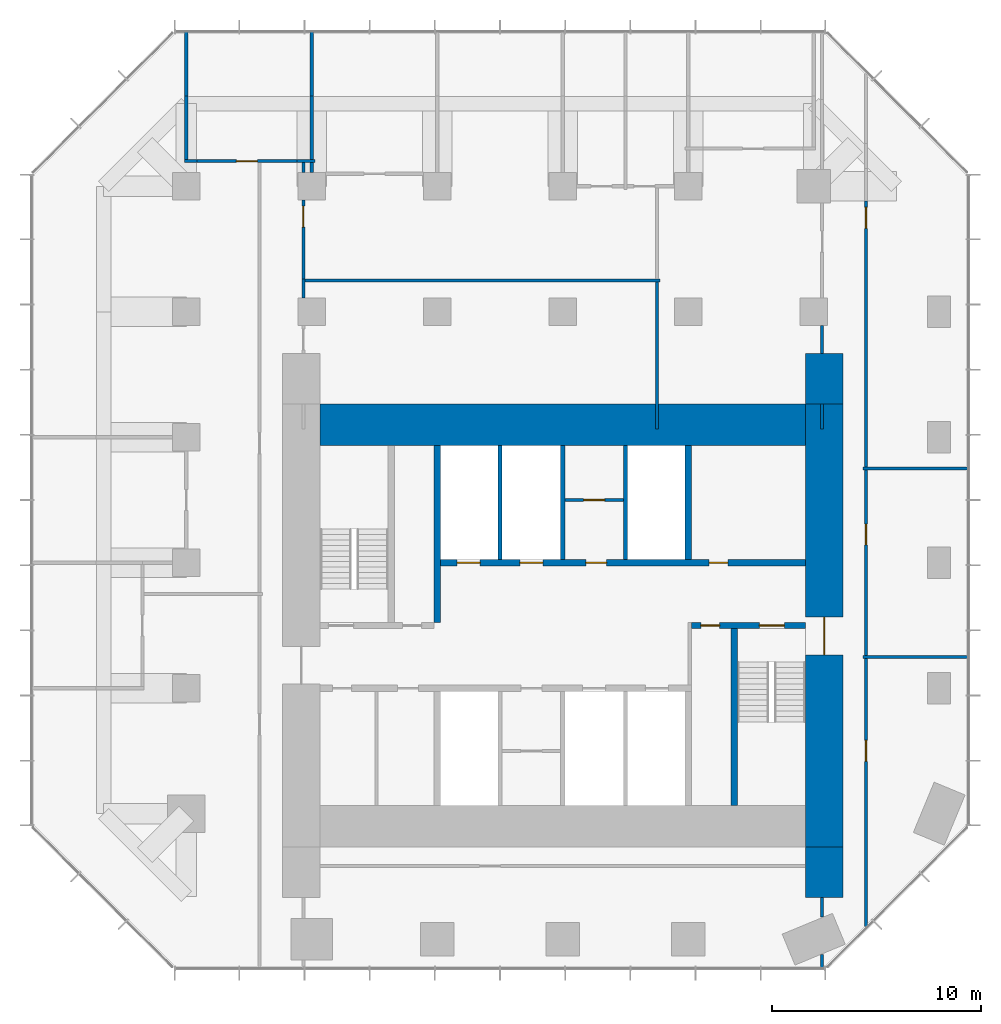
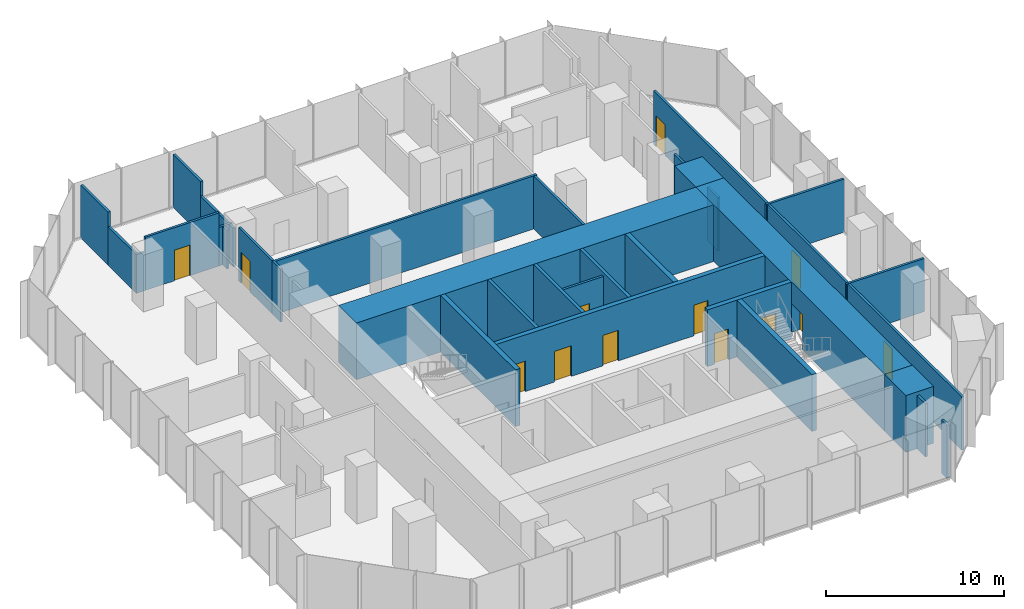
# One storey, part 9 of 11: 35 walls, 13 doors, 13 openings.
"""IFC4 building model written with IfcOpenShell, lengths in metres."""

from ifc_helpers import new_model, si_unit, direction, frame, frame_2d, origin, place, context, subcontext, project, spatial, rectangle, extrude, material, layer, layer_set, type_object, element, fill, save


model = new_model("IFC4")

# Units and contexts
model_context = context("Model", 3, precision=1e-05, world=origin(), true_north=direction((0.0, 1.0)))
body_context = subcontext(model_context, "Body", "Model", "MODEL_VIEW")
ifc_project = project(units=[si_unit("LENGTHUNIT", "METRE"), si_unit("AREAUNIT", "SQUARE_METRE"), si_unit("VOLUMEUNIT", "CUBIC_METRE"), si_unit("PLANEANGLEUNIT", "RADIAN"), si_unit("MASSUNIT", "GRAM", prefix="KILO")], contexts=[model_context])

# Site, building, storey
site_placement = place(None, origin())
site = spatial("IfcSite", under=ifc_project, at=site_placement, CompositionType="ELEMENT")
building_placement = place(site_placement, origin())
building = spatial("IfcBuilding", under=site, at=building_placement, Name="Highveld Stack Headquarters", CompositionType="ELEMENT")
storey_placement = place(building_placement, frame((0.0, 0.0, 204.5)))
storey = spatial("IfcBuildingStorey", under=building, at=storey_placement, Name="L50", CompositionType="ELEMENT", Elevation=204.5)

# Wall, opening, door
ifc_material_1 = material(Name="Concrete C60/75", Category="concrete")
ifc_layer_1 = layer(ifc_material_1, 1.800048828125)
ifc_layer_set_1 = layer_set([ifc_layer_1], Name="Concrete C60/75")
wall_type_1 = type_object("IfcWallType", Name="CORE WALL 1800 C60/75", PredefinedType="SHEAR", material=ifc_layer_set_1)
wall_1_placement = place(storey_placement, frame((18.5, -7.60009765625, 0.0), z_axis=(0.0, 0.0, 1.0), x_axis=(0.0, 1.0, 0.0)))
wall_1 = element("IfcWall", 1, at=wall_1_placement, inside=storey, type_object=wall_type_1, Name="Core wall E L50", PredefinedType="SHEAR", context=body_context, shape_type="SweptSolid", body=[
    extrude(rectangle(XDim=21.2001953125, YDim=1.800048828125, at=frame_2d((10.60009765625, 0.0))), origin(), (0.0, 0.0, 1.0), 3.89990234375),
])
opening_1_placement = place(wall_1_placement, frame((9.199951171875, 0.0, 0.0)))
opening_1 = element("IfcOpeningElement", 2, at=opening_1_placement, cuts=wall_1, Name="Opening L50-02", PredefinedType="OPENING", context=body_context, shape_type="SweptSolid", body=[
    extrude(rectangle(XDim=1.800048828125, YDim=2.39990234375, at=frame_2d((0.89990234375, 1.199951171875))), frame((0.0, 0.909912109375, 0.0), z_axis=(0.0, -1.0, 0.0), x_axis=(1.0, 0.0, 0.0)), (0.0, 0.0, 1.0), 1.820068359375),
])
ifc_material_2 = material(Name="Steel fire door", Category="steel")
door_type_1 = type_object("IfcDoorType", Name="LOBBY FIRE DOOR D4 1800x2400", OperationType="DOUBLE_DOOR_SINGLE_SWING", PredefinedType="DOOR", material=ifc_material_2)
door_1_placement = place(opening_1_placement, origin())
door_1 = element("IfcDoor", 3, at=door_1_placement, inside=storey, type_object=door_type_1, Name="Core east door L50", OperationType="DOUBLE_DOOR_SINGLE_SWING", OverallHeight=2.39990234375, OverallWidth=1.800048828125, PredefinedType="DOOR", context=body_context, shape_type="SweptSolid", body=[
    extrude(rectangle(XDim=1.800048828125, YDim=2.39990234375, at=frame_2d((0.89990234375, 1.199951171875))), frame((0.0, 0.02490234375, 0.0), z_axis=(0.0, -1.0, 0.0), x_axis=(1.0, 0.0, 0.0)), (0.0, 0.0, 1.0), 0.050048828125),
])
fill(opening_1, door_1)

# Wall
ifc_material_3 = material(Name="Concrete C60/75", Category="concrete")
ifc_layer_2 = layer(ifc_material_3, 2.0)
ifc_layer_set_2 = layer_set([ifc_layer_2], Name="Concrete C60/75")
wall_type_2 = type_object("IfcWallType", Name="CORE WALL 2000 C60/75", PredefinedType="SHEAR", material=ifc_layer_set_2)
wall_2_placement = place(storey_placement, frame((-5.60009765625, 12.60009765625, 0.0), z_axis=(0.0, 0.0, 1.0), x_axis=(1.0, 0.0, 0.0)))
element("IfcWall", 4, at=wall_2_placement, inside=storey, type_object=wall_type_2, Name="Core wall N L50", PredefinedType="SHEAR", context=body_context, shape_type="SweptSolid", body=[
    extrude(rectangle(XDim=23.2001953125, YDim=2.0, at=frame_2d((11.60009765625, 0.0))), origin(), (0.0, 0.0, 1.0), 3.89990234375),
])

# Wall, openings, doors
ifc_material_4 = material(Name="Concrete C60/75", Category="concrete")
ifc_layer_3 = layer(ifc_material_4, 0.300048828125)
ifc_layer_set_3 = layer_set([ifc_layer_3], Name="Concrete C60/75")
wall_type_3 = type_object("IfcWallType", Name="CORE WALL 300 C60/75", PredefinedType="SHEAR", material=ifc_layer_set_3)
wall_3_placement = place(storey_placement, frame((12.14990234375, 3.0, 0.0), z_axis=(0.0, 0.0, 1.0), x_axis=(1.0, 0.0, 0.0)))
wall_3 = element("IfcWall", 5, at=wall_3_placement, inside=storey, type_object=wall_type_3, Name="Core wall I-Y3E L50", PredefinedType="SHEAR", context=body_context, shape_type="SweptSolid", body=[
    extrude(rectangle(XDim=5.4501953125, YDim=0.300048828125, at=frame_2d((2.72509765625, 0.0))), origin(), (0.0, 0.0, 1.0), 3.89990234375),
])
opening_2_placement = place(wall_3_placement, frame((3.25, 0.0, 0.0)))
opening_2 = element("IfcOpeningElement", 6, at=opening_2_placement, cuts=wall_3, Name="Opening L50-05", PredefinedType="OPENING", context=body_context, shape_type="SweptSolid", body=[
    extrude(rectangle(XDim=1.199951171875, YDim=2.10009765625, at=frame_2d((0.60009765625, 1.050048828125))), frame((0.0, 0.159912109375, 0.0), z_axis=(0.0, -1.0, 0.0), x_axis=(1.0, 0.0, 0.0)), (0.0, 0.0, 1.0), 0.320068359375),
])
opening_3_placement = place(wall_3_placement, frame((0.449951171875, 0.0, 0.0)))
opening_3 = element("IfcOpeningElement", 7, at=opening_3_placement, cuts=wall_3, Name="Opening L50-06", PredefinedType="OPENING", context=body_context, shape_type="SweptSolid", body=[
    extrude(rectangle(XDim=0.89990234375, YDim=2.10009765625, at=frame_2d((0.449951171875, 1.050048828125))), frame((0.0, 0.159912109375, 0.0), z_axis=(0.0, -1.0, 0.0), x_axis=(1.0, 0.0, 0.0)), (0.0, 0.0, 1.0), 0.320068359375),
])
ifc_material_5 = material(Name="Steel fire door", Category="steel")
door_type_2 = type_object("IfcDoorType", Name="RISER ACCESS DOOR D5 900x2100", OperationType="SINGLE_SWING_LEFT", PredefinedType="DOOR", material=ifc_material_5)
door_2_placement = place(opening_3_placement, origin())
door_2 = element("IfcDoor", 8, at=door_2_placement, inside=storey, type_object=door_type_2, Name="Riser R2 door L50", OperationType="SINGLE_SWING_LEFT", OverallHeight=2.10009765625, OverallWidth=0.89990234375, PredefinedType="DOOR", context=body_context, shape_type="SweptSolid", body=[
    extrude(rectangle(XDim=0.89990234375, YDim=2.10009765625, at=frame_2d((0.449951171875, 1.050048828125))), frame((0.0, 0.02490234375, 0.0), z_axis=(0.0, -1.0, 0.0), x_axis=(1.0, 0.0, 0.0)), (0.0, 0.0, 1.0), 0.050048828125),
])
fill(opening_3, door_2)
ifc_material_6 = material(Name="Steel fire door", Category="steel")
door_type_3 = type_object("IfcDoorType", Name="STAIR FIRE DOOR D3 1200x2100", OperationType="SINGLE_SWING_LEFT", PredefinedType="DOOR", material=ifc_material_6)
door_3_placement = place(opening_2_placement, origin())
door_3 = element("IfcDoor", 9, at=door_3_placement, inside=storey, type_object=door_type_3, Name="Stair S2 door L50", OperationType="SINGLE_SWING_RIGHT", OverallHeight=2.10009765625, OverallWidth=1.199951171875, PredefinedType="DOOR", context=body_context, shape_type="SweptSolid", body=[
    extrude(rectangle(XDim=1.199951171875, YDim=2.10009765625, at=frame_2d((0.60009765625, 1.050048828125))), frame((0.0, 0.02490234375, 0.0), z_axis=(0.0, -1.0, 0.0), x_axis=(1.0, 0.0, 0.0)), (0.0, 0.0, 1.0), 0.050048828125),
])
fill(opening_2, door_3)

wall_4_placement = place(storey_placement, frame((-0.14990234375, 6.0, 0.0), z_axis=(0.0, 0.0, 1.0), x_axis=(1.0, 0.0, 0.0)))
wall_4 = element("IfcWall", 10, at=wall_4_placement, inside=storey, type_object=wall_type_3, Name="Core wall I-Y6 L50", PredefinedType="SHEAR", context=body_context, shape_type="SweptSolid", body=[
    extrude(rectangle(XDim=17.75, YDim=0.300048828125, at=frame_2d((8.875, 0.0))), origin(), (0.0, 0.0, 1.0), 3.89990234375),
])
opening_4_placement = place(wall_4_placement, frame((13.14990234375, 0.0, 0.0)))
opening_4 = element("IfcOpeningElement", 11, at=opening_4_placement, cuts=wall_4, Name="Opening L50-09", PredefinedType="OPENING", context=body_context, shape_type="SweptSolid", body=[
    extrude(rectangle(XDim=0.89990234375, YDim=2.10009765625, at=frame_2d((0.449951171875, 1.050048828125))), frame((0.0, 0.159912109375, 0.0), z_axis=(0.0, -1.0, 0.0), x_axis=(1.0, 0.0, 0.0)), (0.0, 0.0, 1.0), 0.320068359375),
])
opening_5_placement = place(wall_4_placement, frame((7.25, 0.0, 0.0)))
opening_5 = element("IfcOpeningElement", 12, at=opening_5_placement, cuts=wall_4, Name="Opening L50-11", PredefinedType="OPENING", context=body_context, shape_type="SweptSolid", body=[
    extrude(rectangle(XDim=1.0, YDim=2.10009765625, at=frame_2d((0.5, 1.050048828125))), frame((0.0, 0.159912109375, 0.0), z_axis=(0.0, -1.0, 0.0), x_axis=(1.0, 0.0, 0.0)), (0.0, 0.0, 1.0), 0.320068359375),
])
opening_6_placement = place(wall_4_placement, frame((1.10009765625, 0.0, 0.0)))
opening_6 = element("IfcOpeningElement", 13, at=opening_6_placement, cuts=wall_4, Name="Opening LD", PredefinedType="OPENING", context=body_context, shape_type="SweptSolid", body=[
    extrude(rectangle(XDim=1.10009765625, YDim=2.10009765625, at=frame_2d((0.550048828125, 1.050048828125))), frame((0.0, 0.159912109375, 0.0), z_axis=(0.0, -1.0, 0.0), x_axis=(1.0, 0.0, 0.0)), (0.0, 0.0, 1.0), 0.320068359375),
])
opening_7_placement = place(wall_4_placement, frame((4.10009765625, 0.0, 0.0)))
opening_7 = element("IfcOpeningElement", 14, at=opening_7_placement, cuts=wall_4, Name="Opening LD", PredefinedType="OPENING", context=body_context, shape_type="SweptSolid", body=[
    extrude(rectangle(XDim=1.10009765625, YDim=2.10009765625, at=frame_2d((0.550048828125, 1.050048828125))), frame((0.0, 0.159912109375, 0.0), z_axis=(0.0, -1.0, 0.0), x_axis=(1.0, 0.0, 0.0)), (0.0, 0.0, 1.0), 0.320068359375),
])
ifc_material_7 = material(Name="Steel fire door", Category="steel")
door_type_4 = type_object("IfcDoorType", Name="CORE ROOM FIRE DOOR D14 1000x2100", OperationType="SINGLE_SWING_LEFT", PredefinedType="DOOR", material=ifc_material_7)
door_4_placement = place(opening_5_placement, origin())
door_4 = element("IfcDoor", 15, at=door_4_placement, inside=storey, type_object=door_type_4, Name="Capped A 1 door L50", OperationType="SINGLE_SWING_LEFT", OverallHeight=2.10009765625, OverallWidth=1.0, PredefinedType="DOOR", context=body_context, shape_type="SweptSolid", body=[
    extrude(rectangle(XDim=1.0, YDim=2.10009765625, at=frame_2d((0.5, 1.050048828125))), frame((0.0, 0.02490234375, 0.0), z_axis=(0.0, -1.0, 0.0), x_axis=(1.0, 0.0, 0.0)), (0.0, 0.0, 1.0), 0.050048828125),
])
fill(opening_5, door_4)
ifc_material_8 = material(Name="Stainless steel lift landing door", Category="steel")
door_type_5 = type_object("IfcDoorType", Name="LIFT LANDING DOOR LD 1100x2100", OperationType="DOUBLE_DOOR_SLIDING", PredefinedType="USERDEFINED", material=ifc_material_8)
door_5_placement = place(opening_6_placement, origin())
door_5 = element("IfcDoor", 16, at=door_5_placement, inside=storey, type_object=door_type_5, Name="Lift landing door FF1 L50", ObjectType="LIFT LANDING DOOR", OperationType="DOUBLE_DOOR_SLIDING", OverallHeight=2.10009765625, OverallWidth=1.10009765625, PredefinedType="USERDEFINED", context=body_context, shape_type="SweptSolid", body=[
    extrude(rectangle(XDim=1.10009765625, YDim=2.10009765625, at=frame_2d((0.550048828125, 1.050048828125))), frame((0.0, 0.02490234375, 0.0), z_axis=(0.0, -1.0, 0.0), x_axis=(1.0, 0.0, 0.0)), (0.0, 0.0, 1.0), 0.050048828125),
])
fill(opening_6, door_5)
door_6_placement = place(opening_7_placement, origin())
door_6 = element("IfcDoor", 17, at=door_6_placement, inside=storey, type_object=door_type_5, Name="Lift landing door FF2 L50", ObjectType="LIFT LANDING DOOR", OperationType="DOUBLE_DOOR_SLIDING", OverallHeight=2.10009765625, OverallWidth=1.10009765625, PredefinedType="USERDEFINED", context=body_context, shape_type="SweptSolid", body=[
    extrude(rectangle(XDim=1.10009765625, YDim=2.10009765625, at=frame_2d((0.550048828125, 1.050048828125))), frame((0.0, 0.02490234375, 0.0), z_axis=(0.0, -1.0, 0.0), x_axis=(1.0, 0.0, 0.0)), (0.0, 0.0, 1.0), 0.050048828125),
])
fill(opening_7, door_6)
ifc_material_9 = material(Name="Timber door, painted", Category="wood")
door_type_6 = type_object("IfcDoorType", Name="WC DOOR D1 900x2100", OperationType="SINGLE_SWING_LEFT", PredefinedType="DOOR", material=ifc_material_9)
door_7_placement = place(opening_4_placement, origin())
door_7 = element("IfcDoor", 18, at=door_7_placement, inside=storey, type_object=door_type_6, Name="Male WC door L50", OperationType="SINGLE_SWING_RIGHT", OverallHeight=2.10009765625, OverallWidth=0.89990234375, PredefinedType="DOOR", context=body_context, shape_type="SweptSolid", body=[
    extrude(rectangle(XDim=0.89990234375, YDim=2.10009765625, at=frame_2d((0.449951171875, 1.050048828125))), frame((0.0, 0.02490234375, 0.0), z_axis=(0.0, -1.0, 0.0), x_axis=(1.0, 0.0, 0.0)), (0.0, 0.0, 1.0), 0.050048828125),
])
fill(opening_4, door_7)

# Walls
wall_5_placement = place(storey_placement, frame((0.0, 3.14990234375, 0.0), z_axis=(0.0, 0.0, 1.0), x_axis=(0.0, 1.0, 0.0)))
element("IfcWall", 19, at=wall_5_placement, inside=storey, type_object=wall_type_3, Name="Core wall I-X0N L50", PredefinedType="SHEAR", context=body_context, shape_type="SweptSolid", body=[
    extrude(rectangle(XDim=8.4501953125, YDim=0.300048828125, at=frame_2d((4.22509765625, 0.0))), origin(), (0.0, 0.0, 1.0), 3.89990234375),
])
wall_6_placement = place(storey_placement, frame((12.0, 6.14990234375, 0.0), z_axis=(0.0, 0.0, 1.0), x_axis=(0.0, 1.0, 0.0)))
element("IfcWall", 20, at=wall_6_placement, inside=storey, type_object=wall_type_3, Name="Core wall I-X12N L50", PredefinedType="SHEAR", context=body_context, shape_type="SweptSolid", body=[
    extrude(rectangle(XDim=5.4501953125, YDim=0.300048828125, at=frame_2d((2.72509765625, 0.0))), origin(), (0.0, 0.0, 1.0), 3.89990234375),
])
wall_7_placement = place(storey_placement, frame((14.199951171875, -5.60009765625, 0.0), z_axis=(0.0, 0.0, 1.0), x_axis=(0.0, 1.0, 0.0)))
element("IfcWall", 21, at=wall_7_placement, inside=storey, type_object=wall_type_3, Name="Core wall I-RE L50", PredefinedType="SHEAR", context=body_context, shape_type="SweptSolid", body=[
    extrude(rectangle(XDim=8.4501953125, YDim=0.300048828125, at=frame_2d((4.22509765625, 0.0))), origin(), (0.0, 0.0, 1.0), 3.89990234375),
])
ifc_material_10 = material(Name="Concrete C60/75", Category="concrete")
ifc_layer_4 = layer(ifc_material_10, 1.800048828125)
ifc_layer_set_4 = layer_set([ifc_layer_4], Name="Concrete C60/75")
wall_type_4 = type_object("IfcWallType", Name="CORE WING WALL 1800 C60/75", PredefinedType="SHEAR", material=ifc_layer_set_4)
for number, where, z_axis, x_axis, name in (
    (22, (18.5, -10.0, 0.0), (0.0, 0.0, 1.0), (0.0, 1.0, 0.0), "Core wing wall ES L50"),
    (23, (18.5, 13.60009765625, 0.0), (0.0, 0.0, 1.0), (0.0, 1.0, 0.0), "Core wing wall EN L50"),
):
    element("IfcWall", number, at=place(storey_placement, frame(where, z_axis=z_axis, x_axis=x_axis)), inside=storey, type_object=wall_type_4, Name=name, PredefinedType="SHEAR", context=body_context, shape_type="SweptSolid", body=[
        extrude(rectangle(XDim=2.39990234375, YDim=1.800048828125, at=frame_2d((1.199951171875, 0.0))), origin(), (0.0, 0.0, 1.0), 3.89990234375),
    ])

# Wall, opening, door
ifc_material_11 = material(Name="Concrete blockwork, plastered", Category="masonry")
ifc_layer_5 = layer(ifc_material_11, 0.14990234375)
ifc_layer_set_5 = layer_set([ifc_layer_5], Name="Concrete blockwork, plastered")
wall_type_5 = type_object("IfcWallType", Name="FIRE PARTITION 150 BLOCKWORK", PredefinedType="PARTITIONING", material=ifc_layer_set_5)
wall_8_placement = place(storey_placement, frame((6.10009765625, 9.0, 0.0), z_axis=(0.0, 0.0, 1.0), x_axis=(1.0, 0.0, 0.0)))
wall_8 = element("IfcWall", 24, at=wall_8_placement, inside=storey, type_object=wall_type_5, Name="Core room partition L50", PredefinedType="PARTITIONING", context=body_context, shape_type="SweptSolid", body=[
    extrude(rectangle(XDim=2.7998046875, YDim=0.14990234375, at=frame_2d((1.39990234375, 0.0))), origin(), (0.0, 0.0, 1.0), 3.64990234375),
])
opening_8_placement = place(wall_8_placement, frame((0.89990234375, 0.0, 0.0)))
opening_8 = element("IfcOpeningElement", 25, at=opening_8_placement, cuts=wall_8, Name="Opening L50-10", PredefinedType="OPENING", context=body_context, shape_type="SweptSolid", body=[
    extrude(rectangle(XDim=1.0, YDim=2.10009765625, at=frame_2d((0.5, 1.050048828125))), frame((0.0, 0.0849609375, 0.0), z_axis=(0.0, -1.0, 0.0), x_axis=(1.0, 0.0, 0.0)), (0.0, 0.0, 1.0), 0.169921875),
])
door_8_placement = place(opening_8_placement, origin())
door_8 = element("IfcDoor", 26, at=door_8_placement, inside=storey, type_object=door_type_4, Name="Capped A 2 door L50", OperationType="SINGLE_SWING_LEFT", OverallHeight=2.10009765625, OverallWidth=1.0, PredefinedType="DOOR", context=body_context, shape_type="SweptSolid", body=[
    extrude(rectangle(XDim=1.0, YDim=2.10009765625, at=frame_2d((0.5, 1.050048828125))), frame((0.0, 0.02490234375, 0.0), z_axis=(0.0, -1.0, 0.0), x_axis=(1.0, 0.0, 0.0)), (0.0, 0.0, 1.0), 0.050048828125),
])
fill(opening_8, door_8)

# Walls
ifc_material_12 = material(Name="Concrete blockwork, fair-faced", Category="masonry")
ifc_layer_6 = layer(ifc_material_12, 0.199951171875)
ifc_layer_set_6 = layer_set([ifc_layer_6], Name="Concrete blockwork, fair-faced")
wall_type_6 = type_object("IfcWallType", Name="LIFT SHAFT ENCLOSURE WALL 200 BLOCKWORK", PredefinedType="SOLIDWALL", material=ifc_layer_set_6)
for number, where, z_axis, x_axis, name in (
    (27, (3.0, 6.14990234375, 0.0), (0.0, 0.0, 1.0), (0.0, 1.0, 0.0), "Lift shaft wall L50"),
    (28, (6.0, 6.14990234375, 0.0), (0.0, 0.0, 1.0), (0.0, 1.0, 0.0), "Lift shaft wall L50"),
    (29, (9.0, 6.14990234375, 0.0), (0.0, 0.0, 1.0), (0.0, 1.0, 0.0), "Lift shaft wall L50"),
):
    element("IfcWall", number, at=place(storey_placement, frame(where, z_axis=z_axis, x_axis=x_axis)), inside=storey, type_object=wall_type_6, Name=name, PredefinedType="SOLIDWALL", context=body_context, shape_type="SweptSolid", body=[
        extrude(rectangle(XDim=5.4501953125, YDim=0.199951171875, at=frame_2d((2.72509765625, 0.0))), origin(), (0.0, 0.0, 1.0), 3.89990234375),
    ])
ifc_material_13 = material(Name="Gypsum plasterboard on steel studs", Category="steel")
ifc_layer_7 = layer(ifc_material_13, 0.14990234375)
ifc_layer_set_7 = layer_set([ifc_layer_7], Name="Gypsum plasterboard on steel studs")
wall_type_7 = type_object("IfcWallType", Name="PARTITION 150 PLASTERBOARD", PredefinedType="PARTITIONING", material=ifc_layer_set_7)
wall_9_placement = place(storey_placement, frame((-12.074951171875, 25.199951171875, 0.0), z_axis=(0.0, 0.0, 1.0), x_axis=(1.0, 0.0, 0.0)))
element("IfcWall", 30, at=wall_9_placement, inside=storey, type_object=wall_type_7, Name="Partition Tea kitchen L50", PredefinedType="PARTITIONING", context=body_context, shape_type="SweptSolid", body=[
    extrude(rectangle(XDim=0.5849609375, YDim=0.14990234375, at=frame_2d((0.29248046875, 0.0))), origin(), (0.0, 0.0, 1.0), 2.64990234375),
])

# Wall, opening, door
wall_10_placement = place(storey_placement, frame((-11.489990234375, 25.199951171875, 0.0), z_axis=(0.0, 0.0, 1.0), x_axis=(1.0, 0.0, 0.0)))
wall_10 = element("IfcWall", 31, at=wall_10_placement, inside=storey, type_object=wall_type_7, Name="Partition Tea kitchen L50", PredefinedType="PARTITIONING", context=body_context, shape_type="SweptSolid", body=[
    extrude(rectangle(XDim=4.780029296875, YDim=0.14990234375, at=frame_2d((2.39013671875, 0.0))), origin(), (0.0, 0.0, 1.0), 3.64990234375),
])
opening_9_placement = place(wall_10_placement, frame((1.889892578125, 0.0, 0.0)))
opening_9 = element("IfcOpeningElement", 32, at=opening_9_placement, cuts=wall_10, Name="Opening L50-16", PredefinedType="OPENING", context=body_context, shape_type="SweptSolid", body=[
    extrude(rectangle(XDim=1.0, YDim=2.10009765625, at=frame_2d((0.5, 1.050048828125))), frame((0.0, 0.0849609375, 0.0), z_axis=(0.0, -1.0, 0.0), x_axis=(1.0, 0.0, 0.0)), (0.0, 0.0, 1.0), 0.169921875),
])
ifc_material_14 = material(Name="Timber door, oiled ash", Category="wood")
door_type_7 = type_object("IfcDoorType", Name="ROOM DOOR D6 1000x2100", OperationType="SINGLE_SWING_LEFT", PredefinedType="DOOR", material=ifc_material_14)
door_9_placement = place(opening_9_placement, origin())
door_9 = element("IfcDoor", 33, at=door_9_placement, inside=storey, type_object=door_type_7, Name="Tea kitchen door 1 L50", OperationType="SINGLE_SWING_LEFT", OverallHeight=2.10009765625, OverallWidth=1.0, PredefinedType="DOOR", context=body_context, shape_type="SweptSolid", body=[
    extrude(rectangle(XDim=1.0, YDim=2.10009765625, at=frame_2d((0.5, 1.050048828125))), frame((0.0, 0.02490234375, 0.0), z_axis=(0.0, -1.0, 0.0), x_axis=(1.0, 0.0, 0.0)), (0.0, 0.0, 1.0), 0.050048828125),
])
fill(opening_9, door_9)

# Walls
wall_11_placement = place(storey_placement, frame((-6.7099609375, 25.199951171875, 0.0), z_axis=(0.0, 0.0, 1.0), x_axis=(1.0, 0.0, 0.0)))
element("IfcWall", 34, at=wall_11_placement, inside=storey, type_object=wall_type_7, Name="Partition Tea kitchen L50", PredefinedType="PARTITIONING", context=body_context, shape_type="SweptSolid", body=[
    extrude(rectangle(XDim=0.85986328125, YDim=0.14990234375, at=frame_2d((0.429931640625, 0.0))), origin(), (0.0, 0.0, 1.0), 2.64990234375),
])
wall_12_placement = place(storey_placement, frame((-12.0, 25.27490234375, 0.0), z_axis=(0.0, 0.0, 1.0), x_axis=(0.0, 1.0, 0.0)))
element("IfcWall", 35, at=wall_12_placement, inside=storey, type_object=wall_type_7, Name="Partition Tea kitchen L50", PredefinedType="PARTITIONING", context=body_context, shape_type="SweptSolid", body=[
    extrude(rectangle(XDim=3.03515625, YDim=0.14990234375, at=frame_2d((1.517578125, 0.0))), origin(), (0.0, 0.0, 1.0), 2.64990234375),
])
wall_13_placement = place(storey_placement, frame((-12.0, 28.31005859375, 0.0), z_axis=(0.0, 0.0, 1.0), x_axis=(0.0, 1.0, 0.0)))
element("IfcWall", 36, at=wall_13_placement, inside=storey, type_object=wall_type_7, Name="Partition Tea kitchen L50", PredefinedType="PARTITIONING", context=body_context, shape_type="SweptSolid", body=[
    extrude(rectangle(XDim=3.08984375, YDim=0.14990234375, at=frame_2d((1.544921875, 0.0))), origin(), (0.0, 0.0, 1.0), 3.64990234375),
])
wall_14_placement = place(storey_placement, frame((-6.0, 24.64990234375, 0.0), z_axis=(0.0, 0.0, 1.0), x_axis=(0.0, 1.0, 0.0)))
element("IfcWall", 37, at=wall_14_placement, inside=storey, type_object=wall_type_7, Name="Partition Video conference room L50", PredefinedType="PARTITIONING", context=body_context, shape_type="SweptSolid", body=[
    extrude(rectangle(XDim=0.47509765625, YDim=0.14990234375, at=frame_2d((0.237548828125, 0.0))), origin(), (0.0, 0.0, 1.0), 2.64990234375),
])
wall_15_placement = place(storey_placement, frame((-6.0, 25.27490234375, 0.0), z_axis=(0.0, 0.0, 1.0), x_axis=(0.0, 1.0, 0.0)))
element("IfcWall", 38, at=wall_15_placement, inside=storey, type_object=wall_type_7, Name="Partition Tea kitchen / Video conference room L50", PredefinedType="PARTITIONING", context=body_context, shape_type="SweptSolid", body=[
    extrude(rectangle(XDim=3.03515625, YDim=0.14990234375, at=frame_2d((1.517578125, 0.0))), origin(), (0.0, 0.0, 1.0), 2.64990234375),
])
wall_16_placement = place(storey_placement, frame((-6.0, 28.31005859375, 0.0), z_axis=(0.0, 0.0, 1.0), x_axis=(0.0, 1.0, 0.0)))
element("IfcWall", 39, at=wall_16_placement, inside=storey, type_object=wall_type_7, Name="Partition Tea kitchen / Video conference room L50", PredefinedType="PARTITIONING", context=body_context, shape_type="SweptSolid", body=[
    extrude(rectangle(XDim=3.08984375, YDim=0.14990234375, at=frame_2d((1.544921875, 0.0))), origin(), (0.0, 0.0, 1.0), 3.64990234375),
])
wall_17_placement = place(storey_placement, frame((-6.39990234375, 18.64990234375, 0.0), z_axis=(0.0, 0.0, 1.0), x_axis=(0.0, 1.0, 0.0)))
element("IfcWall", 40, at=wall_17_placement, inside=storey, type_object=wall_type_7, Name="Partition office neighbourhood L50", PredefinedType="PARTITIONING", context=body_context, shape_type="SweptSolid", body=[
    extrude(rectangle(XDim=0.925048828125, YDim=0.14990234375, at=frame_2d((0.46240234375, 0.0))), origin(), (0.0, 0.0, 1.0), 3.64990234375),
])

# Wall, opening, door
wall_18_placement = place(storey_placement, frame((-6.39990234375, 19.5, 0.0), z_axis=(0.0, 0.0, 1.0), x_axis=(0.0, 1.0, 0.0)))
wall_18 = element("IfcWall", 41, at=wall_18_placement, inside=storey, type_object=wall_type_7, Name="Partition office neighbourhood L50", PredefinedType="PARTITIONING", context=body_context, shape_type="SweptSolid", body=[
    extrude(rectangle(XDim=3.85009765625, YDim=0.14990234375, at=frame_2d((1.925048828125, 0.0))), origin(), (0.0, 0.0, 1.0), 3.64990234375),
])
opening_10_placement = place(wall_18_placement, frame((2.550048828125, 0.0, 0.0)))
opening_10 = element("IfcOpeningElement", 42, at=opening_10_placement, cuts=wall_18, Name="Opening L50-27", PredefinedType="OPENING", context=body_context, shape_type="SweptSolid", body=[
    extrude(rectangle(XDim=1.0, YDim=2.10009765625, at=frame_2d((0.5, 1.050048828125))), frame((0.0, 0.0849609375, 0.0), z_axis=(0.0, -1.0, 0.0), x_axis=(1.0, 0.0, 0.0)), (0.0, 0.0, 1.0), 0.169921875),
])
door_10_placement = place(opening_10_placement, origin())
door_10 = element("IfcDoor", 43, at=door_10_placement, inside=storey, type_object=door_type_7, Name="Office neighbourhood door L50", OperationType="SINGLE_SWING_RIGHT", OverallHeight=2.10009765625, OverallWidth=1.0, PredefinedType="DOOR", context=body_context, shape_type="SweptSolid", body=[
    extrude(rectangle(XDim=1.0, YDim=2.10009765625, at=frame_2d((0.5, 1.050048828125))), frame((0.0, 0.02490234375, 0.0), z_axis=(0.0, -1.0, 0.0), x_axis=(1.0, 0.0, 0.0)), (0.0, 0.0, 1.0), 0.050048828125),
])
fill(opening_10, door_10)

# Walls
wall_19_placement = place(storey_placement, frame((-6.39990234375, 24.64990234375, 0.0), z_axis=(0.0, 0.0, 1.0), x_axis=(0.0, 1.0, 0.0)))
element("IfcWall", 44, at=wall_19_placement, inside=storey, type_object=wall_type_7, Name="Partition office neighbourhood L50", PredefinedType="PARTITIONING", context=body_context, shape_type="SweptSolid", body=[
    extrude(rectangle(XDim=0.47509765625, YDim=0.14990234375, at=frame_2d((0.237548828125, 0.0))), origin(), (0.0, 0.0, 1.0), 2.64990234375),
])
wall_20_placement = place(storey_placement, frame((-6.324951171875, 19.5, 0.0), z_axis=(0.0, 0.0, 1.0), x_axis=(1.0, 0.0, 0.0)))
element("IfcWall", 45, at=wall_20_placement, inside=storey, type_object=wall_type_7, Name="Partition office neighbourhood L50", PredefinedType="PARTITIONING", context=body_context, shape_type="SweptSolid", body=[
    extrude(rectangle(XDim=16.974853515625, YDim=0.14990234375, at=frame_2d((8.4873046875, 0.0))), origin(), (0.0, 0.0, 1.0), 3.64990234375),
])
wall_21_placement = place(storey_placement, frame((10.5, 12.39990234375, 0.0), z_axis=(0.0, 0.0, 1.0), x_axis=(0.0, 1.0, 0.0)))
element("IfcWall", 46, at=wall_21_placement, inside=storey, type_object=wall_type_7, Name="Partition office neighbourhood L50", PredefinedType="PARTITIONING", context=body_context, shape_type="SweptSolid", body=[
    extrude(rectangle(XDim=7.025146484375, YDim=0.14990234375, at=frame_2d((3.5126953125, 0.0))), origin(), (0.0, 0.0, 1.0), 3.64990234375),
])
wall_22_placement = place(storey_placement, frame((18.39990234375, -13.39990234375, 0.0), z_axis=(0.0, 0.0, 1.0), x_axis=(0.0, 1.0, 0.0)))
element("IfcWall", 47, at=wall_22_placement, inside=storey, type_object=wall_type_7, Name="Partition office neighbourhood L50", PredefinedType="PARTITIONING", context=body_context, shape_type="SweptSolid", body=[
    extrude(rectangle(XDim=0.668701171875, YDim=0.14990234375, at=frame_2d((0.33447265625, 0.0))), origin(), (0.0, 0.0, 1.0), 3.64990234375),
])
wall_23_placement = place(storey_placement, frame((18.39990234375, -10.937255859375, 0.0), z_axis=(0.0, 0.0, 1.0), x_axis=(0.0, 1.0, 0.0)))
element("IfcWall", 48, at=wall_23_placement, inside=storey, type_object=wall_type_7, Name="Partition office neighbourhood L50", PredefinedType="PARTITIONING", context=body_context, shape_type="SweptSolid", body=[
    extrude(rectangle(XDim=0.937255859375, YDim=0.14990234375, at=frame_2d((0.46875, 0.0))), origin(), (0.0, 0.0, 1.0), 3.64990234375),
])
wall_24_placement = place(storey_placement, frame((18.39990234375, 12.39990234375, 0.0), z_axis=(0.0, 0.0, 1.0), x_axis=(0.0, 1.0, 0.0)))
element("IfcWall", 49, at=wall_24_placement, inside=storey, type_object=wall_type_7, Name="Partition office neighbourhood L50", PredefinedType="PARTITIONING", context=body_context, shape_type="SweptSolid", body=[
    extrude(rectangle(XDim=1.2001953125, YDim=0.14990234375, at=frame_2d((0.60009765625, 0.0))), origin(), (0.0, 0.0, 1.0), 3.64990234375),
])
wall_25_placement = place(storey_placement, frame((18.39990234375, 16.0, 0.0), z_axis=(0.0, 0.0, 1.0), x_axis=(0.0, 1.0, 0.0)))
element("IfcWall", 50, at=wall_25_placement, inside=storey, type_object=wall_type_7, Name="Partition office neighbourhood L50", PredefinedType="PARTITIONING", context=body_context, shape_type="SweptSolid", body=[
    extrude(rectangle(XDim=1.35009765625, YDim=0.14990234375, at=frame_2d((0.675048828125, 0.0))), origin(), (0.0, 0.0, 1.0), 3.64990234375),
])

# Wall, opening, door
wall_26_placement = place(storey_placement, frame((20.5, -11.387939453125, 0.0), z_axis=(0.0, 0.0, 1.0), x_axis=(0.0, 1.0, 0.0)))
wall_26 = element("IfcWall", 51, at=wall_26_placement, inside=storey, type_object=wall_type_7, Name="Partition office neighbourhood L50", PredefinedType="PARTITIONING", context=body_context, shape_type="SweptSolid", body=[
    extrude(rectangle(XDim=12.81298828125, YDim=0.14990234375, at=frame_2d((6.406494140625, 0.0))), origin(), (0.0, 0.0, 1.0), 3.64990234375),
])
opening_11_placement = place(wall_26_placement, frame((7.89501953125, 0.0, 0.0)))
opening_11 = element("IfcOpeningElement", 52, at=opening_11_placement, cuts=wall_26, Name="Opening L50-22", PredefinedType="OPENING", context=body_context, shape_type="SweptSolid", body=[
    extrude(rectangle(XDim=1.0, YDim=2.10009765625, at=frame_2d((0.5, 1.050048828125))), frame((0.0, 0.0849609375, 0.0), z_axis=(0.0, -1.0, 0.0), x_axis=(1.0, 0.0, 0.0)), (0.0, 0.0, 1.0), 0.169921875),
])
door_11_placement = place(opening_11_placement, origin())
door_11 = element("IfcDoor", 53, at=door_11_placement, inside=storey, type_object=door_type_7, Name="Office neighbourhood door L50", OperationType="SINGLE_SWING_RIGHT", OverallHeight=2.10009765625, OverallWidth=1.0, PredefinedType="DOOR", context=body_context, shape_type="SweptSolid", body=[
    extrude(rectangle(XDim=1.0, YDim=2.10009765625, at=frame_2d((0.5, 1.050048828125))), frame((0.0, 0.02490234375, 0.0), z_axis=(0.0, -1.0, 0.0), x_axis=(1.0, 0.0, 0.0)), (0.0, 0.0, 1.0), 0.050048828125),
])
fill(opening_11, door_11)

wall_27_placement = place(storey_placement, frame((20.5, 1.574951171875, 0.0), z_axis=(0.0, 0.0, 1.0), x_axis=(0.0, 1.0, 0.0)))
wall_27 = element("IfcWall", 54, at=wall_27_placement, inside=storey, type_object=wall_type_7, Name="Partition office neighbourhood L50", PredefinedType="PARTITIONING", context=body_context, shape_type="SweptSolid", body=[
    extrude(rectangle(XDim=8.85009765625, YDim=0.14990234375, at=frame_2d((4.425048828125, 0.0))), origin(), (0.0, 0.0, 1.0), 3.64990234375),
])
opening_12_placement = place(wall_27_placement, frame((5.27490234375, 0.0, 0.0)))
opening_12 = element("IfcOpeningElement", 55, at=opening_12_placement, cuts=wall_27, Name="Opening L50-23", PredefinedType="OPENING", context=body_context, shape_type="SweptSolid", body=[
    extrude(rectangle(XDim=1.0, YDim=2.10009765625, at=frame_2d((0.5, 1.050048828125))), frame((0.0, 0.0849609375, 0.0), z_axis=(0.0, -1.0, 0.0), x_axis=(1.0, 0.0, 0.0)), (0.0, 0.0, 1.0), 0.169921875),
])
door_12_placement = place(opening_12_placement, origin())
door_12 = element("IfcDoor", 56, at=door_12_placement, inside=storey, type_object=door_type_7, Name="Office neighbourhood door L50", OperationType="SINGLE_SWING_RIGHT", OverallHeight=2.10009765625, OverallWidth=1.0, PredefinedType="DOOR", context=body_context, shape_type="SweptSolid", body=[
    extrude(rectangle(XDim=1.0, YDim=2.10009765625, at=frame_2d((0.5, 1.050048828125))), frame((0.0, 0.02490234375, 0.0), z_axis=(0.0, -1.0, 0.0), x_axis=(1.0, 0.0, 0.0)), (0.0, 0.0, 1.0), 0.050048828125),
])
fill(opening_12, door_12)

# Wall
wall_28_placement = place(storey_placement, frame((20.35009765625, 1.5, 0.0), z_axis=(0.0, 0.0, 1.0), x_axis=(1.0, 0.0, 0.0)))
element("IfcWall", 57, at=wall_28_placement, inside=storey, type_object=wall_type_7, Name="Partition office neighbourhood L50", PredefinedType="PARTITIONING", context=body_context, shape_type="SweptSolid", body=[
    extrude(rectangle(XDim=5.0498046875, YDim=0.14990234375, at=frame_2d((2.52490234375, 0.0))), origin(), (0.0, 0.0, 1.0), 3.64990234375),
])

# Wall, opening, door
wall_29_placement = place(storey_placement, frame((20.5, 10.574951171875, 0.0), z_axis=(0.0, 0.0, 1.0), x_axis=(0.0, 1.0, 0.0)))
wall_29 = element("IfcWall", 58, at=wall_29_placement, inside=storey, type_object=wall_type_7, Name="Partition office neighbourhood L50", PredefinedType="PARTITIONING", context=body_context, shape_type="SweptSolid", body=[
    extrude(rectangle(XDim=12.715087890625, YDim=0.14990234375, at=frame_2d((6.357421875, 0.0))), origin(), (0.0, 0.0, 1.0), 3.64990234375),
])
opening_13_placement = place(wall_29_placement, frame((11.4150390625, 0.0, 0.0)))
opening_13 = element("IfcOpeningElement", 59, at=opening_13_placement, cuts=wall_29, Name="Opening L50-25", PredefinedType="OPENING", context=body_context, shape_type="SweptSolid", body=[
    extrude(rectangle(XDim=1.0, YDim=2.10009765625, at=frame_2d((0.5, 1.050048828125))), frame((0.0, 0.0849609375, 0.0), z_axis=(0.0, -1.0, 0.0), x_axis=(1.0, 0.0, 0.0)), (0.0, 0.0, 1.0), 0.169921875),
])
door_13_placement = place(opening_13_placement, origin())
door_13 = element("IfcDoor", 60, at=door_13_placement, inside=storey, type_object=door_type_7, Name="Office neighbourhood door L50", OperationType="SINGLE_SWING_RIGHT", OverallHeight=2.10009765625, OverallWidth=1.0, PredefinedType="DOOR", context=body_context, shape_type="SweptSolid", body=[
    extrude(rectangle(XDim=1.0, YDim=2.10009765625, at=frame_2d((0.5, 1.050048828125))), frame((0.0, 0.02490234375, 0.0), z_axis=(0.0, -1.0, 0.0), x_axis=(1.0, 0.0, 0.0)), (0.0, 0.0, 1.0), 0.050048828125),
])
fill(opening_13, door_13)

# Wall
wall_30_placement = place(storey_placement, frame((20.35009765625, 10.5, 0.0), z_axis=(0.0, 0.0, 1.0), x_axis=(1.0, 0.0, 0.0)))
element("IfcWall", 61, at=wall_30_placement, inside=storey, type_object=wall_type_7, Name="Partition office neighbourhood L50", PredefinedType="PARTITIONING", context=body_context, shape_type="SweptSolid", body=[
    extrude(rectangle(XDim=5.0498046875, YDim=0.14990234375, at=frame_2d((2.52490234375, 0.0))), origin(), (0.0, 0.0, 1.0), 3.64990234375),
])

save(model, "model.ifc")
